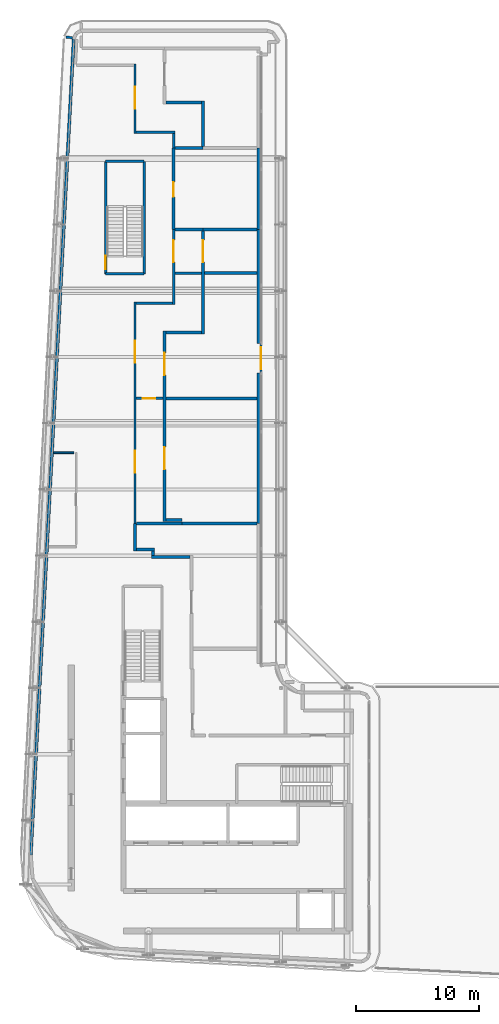
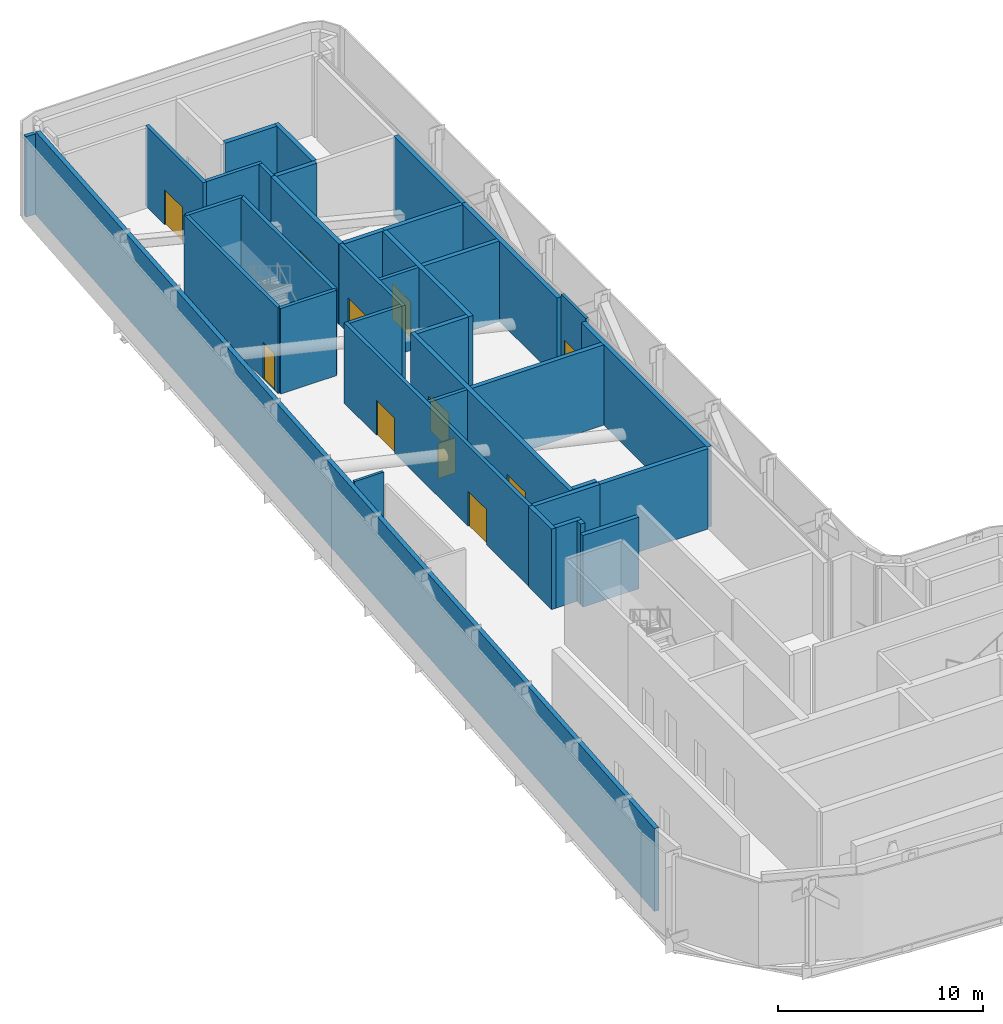
# One storey, part 12 of 18: 37 walls, 11 doors, 11 openings.
"""IFC4 building model written with IfcOpenShell, lengths in metres."""

import ifcopenshell
import ifcopenshell.guid

model = None  # the IFC model being written
_history = None  # IfcOwnerHistory: only IFC2X3 demands one
_inside = {}  # id of a spatial element -> (the spatial element, [elements in it])
_under = {}  # id of a project, library or spatial element -> (it, [spatial elements below it])
_declared = {}  # id of a project -> (the project, [libraries it declares])
_typed = {}  # id of a type object -> (the type object, [elements of that type])
_made_of = {}  # id of a material, layer set ... -> (it, [elements and type objects made of it])


def new_model(schema):
    """Start an empty IFC model of exactly this schema.

    Asked for "IFC4X3", IfcOpenShell would pick the latest addendum, in which some entities
    have other attributes; the version numbers below select the first issue.
    IFC2X3 requires an IfcOwnerHistory on every rooted entity: one is made here for all.
    """
    global model, _history
    if schema == "IFC4X3":
        model = ifcopenshell.file(schema_version=(4, 3, 0, 0))
    else:
        model = ifcopenshell.file(schema=schema)
    _inside.clear()
    _under.clear()
    _declared.clear()
    _typed.clear()
    _made_of.clear()
    _history = None
    if model.schema == "IFC2X3":
        org = make("IfcOrganization", Name="unknown")
        user = make(
            "IfcPersonAndOrganization",
            ThePerson=make("IfcPerson", FamilyName="unknown"),
            TheOrganization=org,
        )
        app = make(
            "IfcApplication",
            ApplicationDeveloper=org,
            Version="unknown",
            ApplicationFullName="unknown",
            ApplicationIdentifier="unknown",
        )
        _history = make(
            "IfcOwnerHistory",
            OwningUser=user,
            OwningApplication=app,
            ChangeAction="ADDED",
            CreationDate=0,
        )
    return model


def make(cls, **values):
    """One entity of the class cls with the attributes given. An attribute that is None is left unset."""
    return model.create_entity(
        cls, **{name: value for name, value in values.items() if value is not None}
    )


def rooted(cls, **values):
    """An entity with a GlobalId (a new one), such as an element, a storey or a relation."""
    return make(cls, GlobalId=ifcopenshell.guid.new(), OwnerHistory=_history, **values)


def si_unit(unit_type, name, prefix=None):
    """IfcSIUnit, for example si_unit("LENGTHUNIT", "METRE", prefix="MILLI")."""
    return make("IfcSIUnit", UnitType=unit_type, Prefix=prefix, Name=name)


def assignment(units):
    """IfcUnitAssignment: the units of a project."""
    return None if units is None else make("IfcUnitAssignment", Units=units)


def point(xyz):
    """IfcCartesianPoint."""
    return None if xyz is None else make("IfcCartesianPoint", Coordinates=xyz)


def direction(xyz):
    """IfcDirection."""
    return None if xyz is None else make("IfcDirection", DirectionRatios=xyz)


def frame(location, z_axis=None, x_axis=None):
    """IfcAxis2Placement3D, a coordinate frame: its origin and axes. An axis left out is left unset."""
    return make(
        "IfcAxis2Placement3D",
        Location=point(location),
        Axis=direction(z_axis),
        RefDirection=direction(x_axis),
    )


def frame_2d(location, x_axis=None):
    """IfcAxis2Placement2D, a coordinate frame in the plane: its origin and x axis."""
    return make(
        "IfcAxis2Placement2D", Location=point(location), RefDirection=direction(x_axis)
    )


def origin():
    """The frame at (0, 0, 0) with its axes left unset."""
    return frame((0.0, 0.0, 0.0))


def place(relative_to, where):
    """IfcLocalPlacement: puts the frame where relative to a parent placement (None: the world)."""
    return make(
        "IfcLocalPlacement", PlacementRelTo=relative_to, RelativePlacement=where
    )


def context(
    kind, dimensions, precision=None, world=None, true_north=None, identifier=None
):
    """IfcGeometricRepresentationContext, for example the 3D "Model" context."""
    return make(
        "IfcGeometricRepresentationContext",
        ContextIdentifier=identifier,
        ContextType=kind,
        CoordinateSpaceDimension=dimensions,
        Precision=precision,
        WorldCoordinateSystem=world,
        TrueNorth=true_north,
    )


def subcontext(parent, identifier, kind, view, scale=None):
    """IfcGeometricRepresentationSubContext, for example "Body" below "Model"."""
    return make(
        "IfcGeometricRepresentationSubContext",
        ContextIdentifier=identifier,
        ContextType=kind,
        ParentContext=parent,
        TargetScale=scale,
        TargetView=view,
    )


def project(units=None, contexts=None):
    """IfcProject with its units and contexts."""
    return rooted(
        "IfcProject",
        Name="project",
        RepresentationContexts=contexts,
        UnitsInContext=assignment(units),
    )


def spatial(cls, under=None, at=None, **own):
    """A site, building, storey or space (cls), placed at a placement, below another one or the project."""
    s = rooted(cls, ObjectPlacement=at, **own)
    if under is not None:
        _under.setdefault(under.id(), (under, []))[1].append(s)
    return s


def profile(cls, at=None, kind="AREA", **sizes):
    """A parametric profile (cls). Its sizes go by their IFC names, for example OverallWidth=200.0."""
    return make(cls, ProfileType=kind, Position=at, **sizes)


def rectangle(**sizes):
    """IfcRectangleProfileDef."""
    return profile("IfcRectangleProfileDef", **sizes)


def extrude(swept, where, along, depth):
    """IfcExtrudedAreaSolid: the profile swept, set in the frame where, extruded along a direction by depth."""
    return make(
        "IfcExtrudedAreaSolid",
        SweptArea=swept,
        Position=where,
        ExtrudedDirection=direction(along),
        Depth=depth,
    )


def shape(context_of_items, identifier, shape_type, items):
    """IfcShapeRepresentation: the items that make up one representation, for example the "Body"."""
    return make(
        "IfcShapeRepresentation",
        ContextOfItems=context_of_items,
        RepresentationIdentifier=identifier,
        RepresentationType=shape_type,
        Items=items,
    )


def source(mapping_origin, context_of_items, identifier, shape_type, items):
    """IfcRepresentationMap: a shape defined once, which mapped items show again and again."""
    return make(
        "IfcRepresentationMap",
        MappingOrigin=mapping_origin,
        MappedRepresentation=shape(context_of_items, identifier, shape_type, items),
    )


def transform(
    local_origin,
    x_axis=None,
    y_axis=None,
    z_axis=None,
    scale=None,
    scale2=None,
    scale3=None,
    uniform=True,
):
    """IfcCartesianTransformationOperator3D, or its non-uniform kind. x_axis, y_axis, z_axis: its Axis1, 2, 3."""
    if uniform:
        return make(
            "IfcCartesianTransformationOperator3D",
            Axis1=direction(x_axis),
            Axis2=direction(y_axis),
            LocalOrigin=point(local_origin),
            Scale=scale,
            Axis3=direction(z_axis),
        )
    return make(
        "IfcCartesianTransformationOperator3DnonUniform",
        Axis1=direction(x_axis),
        Axis2=direction(y_axis),
        LocalOrigin=point(local_origin),
        Scale=scale,
        Axis3=direction(z_axis),
        Scale2=scale2,
        Scale3=scale3,
    )


def mapped(mapping_source, mapping_target):
    """IfcMappedItem: shows the shape of a source again, moved by a transform."""
    return make(
        "IfcMappedItem", MappingSource=mapping_source, MappingTarget=mapping_target
    )


def material(Name=None, Category=None):
    """IfcMaterial."""
    return make("IfcMaterial", Name=Name, Category=Category)


def layer(
    of_material, thickness, ventilated=None, Name=None, Category=None, Priority=None
):
    """IfcMaterialLayer: one layer of a wall or slab, of a material (None: an air gap)."""
    return make(
        "IfcMaterialLayer",
        Material=of_material,
        LayerThickness=thickness,
        IsVentilated=ventilated,
        Name=Name,
        Category=Category,
        Priority=Priority,
    )


def layer_set(layers, Name=None):
    """IfcMaterialLayerSet."""
    return make("IfcMaterialLayerSet", MaterialLayers=layers, LayerSetName=Name)


def made_of(thing, what):
    """Note that an element or type object is made of a material, layer set ...; save() writes the relation."""
    if what is not None:
        _made_of.setdefault(what.id(), (what, []))[1].append(thing)
    return thing


def type_object(cls, material=None, **own):
    """A type object (cls), such as IfcWallType, which elements share."""
    return made_of(rooted(cls, **own), material)


def element(
    cls,
    number,
    at=None,
    inside=None,
    cuts=None,
    type_object=None,
    material=None,
    context=None,
    identifier="Body",
    shape_type=None,
    held_by="IfcProductDefinitionShape",
    body=None,
    shapes=None,
    **own,
):
    """One element of the class cls, such as IfcWall. Its Tag is "e" and its number.

    at: its placement. inside: the storey or other place that contains it. cuts: it is an
    opening in that element (IfcRelVoidsElement). A single representation is given by context,
    identifier, shape_type and body (its items); several are given by shapes. held_by: the class
    of the entity that holds the representations. save() writes the other relations.
    """
    e = rooted(cls, Tag="e%d" % number, ObjectPlacement=at, **own)
    if body is not None:
        shapes = [shape(context, identifier, shape_type, body)]
    if shapes is not None:
        e.Representation = make(held_by, Representations=shapes)
    if inside is not None:
        _inside.setdefault(inside.id(), (inside, []))[1].append(e)
    if cuts is not None:
        rooted(
            "IfcRelVoidsElement", RelatingBuildingElement=cuts, RelatedOpeningElement=e
        )
    if type_object is not None:
        _typed.setdefault(type_object.id(), (type_object, []))[1].append(e)
    return made_of(e, material)


def fill(opening, filler):
    """IfcRelFillsElement: the door or window that sits in an opening."""
    return rooted(
        "IfcRelFillsElement",
        RelatingOpeningElement=opening,
        RelatedBuildingElement=filler,
    )


def aggregate(whole, parts):
    """IfcRelAggregates: a whole, such as a stair, and the parts it consists of."""
    return rooted("IfcRelAggregates", RelatingObject=whole, RelatedObjects=parts)


def save(model, path):
    """Write the relations noted so far, then the file.

    IfcRelAggregates (storeys below a building ...), IfcRelContainedInSpatialStructure (elements
    in a storey), IfcRelDefinesByType, IfcRelAssociatesMaterial and IfcRelDeclares: one each for
    every whole, place, type object, material and project.
    """
    for whole, parts in _under.values():
        aggregate(whole, parts)
    for where, things in _inside.values():
        rooted(
            "IfcRelContainedInSpatialStructure",
            RelatedElements=things,
            RelatingStructure=where,
        )
    for kind, things in _typed.values():
        rooted("IfcRelDefinesByType", RelatedObjects=things, RelatingType=kind)
    for what, things in _made_of.values():
        rooted("IfcRelAssociatesMaterial", RelatedObjects=things, RelatingMaterial=what)
    for by, libraries in _declared.values():
        rooted("IfcRelDeclares", RelatingContext=by, RelatedDefinitions=libraries)
    model.write(path)


model = new_model("IFC4")

# Units and contexts
model_context = context("Model", 3, precision=1e-05, world=origin(), true_north=direction((0.0, 1.0)))
body_context = subcontext(model_context, "Body", "Model", "MODEL_VIEW")
ifc_project = project(units=[si_unit("LENGTHUNIT", "METRE"), si_unit("AREAUNIT", "SQUARE_METRE"), si_unit("VOLUMEUNIT", "CUBIC_METRE"), si_unit("PLANEANGLEUNIT", "RADIAN"), si_unit("MASSUNIT", "GRAM", prefix="KILO")], contexts=[model_context])

# Site, building, storey
site_placement = place(None, origin())
site = spatial("IfcSite", under=ifc_project, at=site_placement, CompositionType="ELEMENT")
building_placement = place(site_placement, origin())
building = spatial("IfcBuilding", under=site, at=building_placement, Name="Kheshtan School and Residences Tower", CompositionType="ELEMENT")
storey_placement = place(building_placement, frame((0.0, 0.0, 333.199951171875)))
storey = spatial("IfcBuildingStorey", under=building, at=storey_placement, Name="L78", CompositionType="ELEMENT", Elevation=333.199951171875)

# Wall
ifc_material_1 = material(Name="Gypsum board on steel studs with fire boards", Category="steel")
ifc_layer_1 = layer(ifc_material_1, 0.199951171875)
ifc_layer_set_1 = layer_set([ifc_layer_1], Name="Corridor wall 200")
wall_type_1 = type_object("IfcWallType", Name="Corridor wall 200", PredefinedType="PARTITIONING", material=ifc_layer_set_1)
wall_1_placement = place(storey_placement, frame((30.05908203125, 98.69091796875, 0.0), z_axis=(0.0, 0.0, 1.0), x_axis=(0.998617829333, -0.052558833123, 0.0)))
element("IfcWall", 1, at=wall_1_placement, inside=storey, type_object=wall_type_1, Name="Partition L78-001", PredefinedType="PARTITIONING", context=body_context, shape_type="SweptSolid", body=[
    extrude(rectangle(XDim=0.529541015625, YDim=0.199951171875, at=frame_2d((0.2646484375, 0.0))), origin(), (0.0, 0.0, 1.0), 4.800048828125),
])

# Wall, openings, doors
wall_2_placement = place(storey_placement, frame((35.699951171875, 59.02392578125, 0.0), z_axis=(0.0, 0.0, 1.0), x_axis=(0.0, 1.0, 0.0)))
wall_2 = element("IfcWall", 2, at=wall_2_placement, inside=storey, type_object=wall_type_1, Name="Partition L78-008", PredefinedType="PARTITIONING", context=body_context, shape_type="SweptSolid", body=[
    extrude(rectangle(XDim=18.076171875, YDim=0.199951171875, at=frame_2d((9.0380859375, 0.0))), origin(), (0.0, 0.0, 1.0), 4.800048828125),
])
opening_1_placement = place(wall_2_placement, frame((4.14990234375, 0.0, 0.0)))
opening_1 = element("IfcOpeningElement", 3, at=opening_1_placement, cuts=wall_2, Name="Opening D78-009", PredefinedType="OPENING", context=body_context, shape_type="SweptSolid", body=[
    extrude(rectangle(XDim=1.800048828125, YDim=2.10009765625, at=frame_2d((0.89990234375, 1.050048828125))), frame((0.0, 0.10986328125, 0.0), z_axis=(0.0, -1.0, 0.0), x_axis=(1.0, 0.0, 0.0)), (0.0, 0.0, 1.0), 0.219970703125),
])
opening_2_placement = place(wall_2_placement, frame((13.112060546875, 0.0, 0.0)))
opening_2 = element("IfcOpeningElement", 4, at=opening_2_placement, cuts=wall_2, Name="Opening D78-011", PredefinedType="OPENING", context=body_context, shape_type="SweptSolid", body=[
    extrude(rectangle(XDim=1.800048828125, YDim=2.10009765625, at=frame_2d((0.89990234375, 1.050048828125))), frame((0.0, 0.10986328125, 0.0), z_axis=(0.0, -1.0, 0.0), x_axis=(1.0, 0.0, 0.0)), (0.0, 0.0, 1.0), 0.219970703125),
])
ifc_material_2 = material(Name="Steel-framed fire-resisting door leaf", Category="steel")
door_type_1 = type_object("IfcDoorType", Name="Fire double door FD60 1800 x 2100", OperationType="DOUBLE_DOOR_SINGLE_SWING", PredefinedType="DOOR", material=ifc_material_2)
shared_shape_1 = source(origin(), body_context, "Body", "SweptSolid", [
    extrude(rectangle(XDim=1.800048828125, YDim=2.10009765625, at=frame_2d((0.89990234375, 1.050048828125))), frame((0.0, 0.02490234375, 0.0), z_axis=(0.0, -1.0, 0.0), x_axis=(1.0, 0.0, 0.0)), (0.0, 0.0, 1.0), 0.050048828125),
])
door_1_placement = place(opening_1_placement, origin())
door_1 = element("IfcDoor", 5, at=door_1_placement, inside=storey, type_object=door_type_1, Name="Door D78-009", OperationType="DOUBLE_DOOR_SINGLE_SWING", OverallHeight=2.10009765625, OverallWidth=1.800048828125, PredefinedType="DOOR", context=body_context, shape_type="MappedRepresentation", body=[
    mapped(shared_shape_1, transform((0.0, 0.0, 0.0), x_axis=(1.0, 0.0, 0.0), y_axis=(0.0, 1.0, 0.0), z_axis=(0.0, 0.0, 1.0), scale=1.0)),
])
fill(opening_1, door_1)
door_2_placement = place(opening_2_placement, origin())
door_2 = element("IfcDoor", 6, at=door_2_placement, inside=storey, type_object=door_type_1, Name="Door D78-011", OperationType="DOUBLE_DOOR_SINGLE_SWING", OverallHeight=2.10009765625, OverallWidth=1.800048828125, PredefinedType="DOOR", context=body_context, shape_type="MappedRepresentation", body=[
    mapped(shared_shape_1, transform((0.0, 0.0, 0.0), x_axis=(1.0, 0.0, 0.0), y_axis=(0.0, 1.0, 0.0), z_axis=(0.0, 0.0, 1.0), scale=1.0)),
])
fill(opening_2, door_2)

# Wall, opening, door
wall_3_placement = place(storey_placement, frame((35.699951171875, 90.860107421875, 0.0), z_axis=(0.0, 0.0, 1.0), x_axis=(0.0, 1.0, 0.0)))
wall_3 = element("IfcWall", 7, at=wall_3_placement, inside=storey, type_object=wall_type_1, Name="Partition L78-009", PredefinedType="PARTITIONING", context=body_context, shape_type="SweptSolid", body=[
    extrude(rectangle(XDim=5.639892578125, YDim=0.199951171875, at=frame_2d((2.81982421875, 0.0))), origin(), (0.0, 0.0, 1.0), 4.800048828125),
])
opening_3_placement = place(wall_3_placement, frame((2.0, 0.0, 0.0)))
opening_3 = element("IfcOpeningElement", 8, at=opening_3_placement, cuts=wall_3, Name="Opening D78-012", PredefinedType="OPENING", context=body_context, shape_type="SweptSolid", body=[
    extrude(rectangle(XDim=1.800048828125, YDim=2.10009765625, at=frame_2d((0.89990234375, 1.050048828125))), frame((0.0, 0.10986328125, 0.0), z_axis=(0.0, -1.0, 0.0), x_axis=(1.0, 0.0, 0.0)), (0.0, 0.0, 1.0), 0.219970703125),
])
door_3_placement = place(opening_3_placement, origin())
door_3 = element("IfcDoor", 9, at=door_3_placement, inside=storey, type_object=door_type_1, Name="Door D78-012", OperationType="DOUBLE_DOOR_SINGLE_SWING", OverallHeight=2.10009765625, OverallWidth=1.800048828125, PredefinedType="DOOR", context=body_context, shape_type="MappedRepresentation", body=[
    mapped(shared_shape_1, transform((0.0, 0.0, 0.0), x_axis=(1.0, 0.0, 0.0), y_axis=(0.0, 1.0, 0.0), z_axis=(0.0, 0.0, 1.0), scale=1.0)),
])
fill(opening_3, door_3)

wall_4_placement = place(storey_placement, frame((35.800048828125, 69.236083984375, 0.0), z_axis=(0.0, 0.0, 1.0), x_axis=(1.0, 0.0, 0.0)))
wall_4 = element("IfcWall", 10, at=wall_4_placement, inside=storey, type_object=wall_type_1, Name="Partition L78-010", PredefinedType="PARTITIONING", context=body_context, shape_type="SweptSolid", body=[
    extrude(rectangle(XDim=2.175048828125, YDim=0.199951171875, at=frame_2d((1.08740234375, 0.0))), origin(), (0.0, 0.0, 1.0), 4.800048828125),
])
opening_4_placement = place(wall_4_placement, frame((0.550048828125, 0.0, 0.0)))
opening_4 = element("IfcOpeningElement", 11, at=opening_4_placement, cuts=wall_4, Name="Opening D78-010", PredefinedType="OPENING", context=body_context, shape_type="SweptSolid", body=[
    extrude(rectangle(XDim=1.0, YDim=2.10009765625, at=frame_2d((0.5, 1.050048828125))), frame((0.0, 0.10986328125, 0.0), z_axis=(0.0, -1.0, 0.0), x_axis=(1.0, 0.0, 0.0)), (0.0, 0.0, 1.0), 0.219970703125),
])
door_type_2 = type_object("IfcDoorType", Name="Fire door FD60 1000 x 2100", OperationType="SINGLE_SWING_LEFT", PredefinedType="DOOR", material=ifc_material_2)
shared_shape_2 = source(origin(), body_context, "Body", "SweptSolid", [
    extrude(rectangle(XDim=1.0, YDim=2.10009765625, at=frame_2d((0.5, 1.050048828125))), frame((0.0, 0.02490234375, 0.0), z_axis=(0.0, -1.0, 0.0), x_axis=(1.0, 0.0, 0.0)), (0.0, 0.0, 1.0), 0.050048828125),
])
door_4_placement = place(opening_4_placement, origin())
door_4 = element("IfcDoor", 12, at=door_4_placement, inside=storey, type_object=door_type_2, Name="Door D78-010", OperationType="SINGLE_SWING_RIGHT", OverallHeight=2.10009765625, OverallWidth=1.0, PredefinedType="DOOR", context=body_context, shape_type="MappedRepresentation", body=[
    mapped(shared_shape_2, transform((0.0, 0.0, 0.0), x_axis=(1.0, 0.0, 0.0), y_axis=(0.0, 1.0, 0.0), z_axis=(0.0, 0.0, 1.0), scale=1.0)),
])
fill(opening_4, door_4)

# Walls
wall_5_placement = place(storey_placement, frame((35.800048828125, 77.0, 0.0), z_axis=(0.0, 0.0, 1.0), x_axis=(1.0, 0.0, 0.0)))
element("IfcWall", 13, at=wall_5_placement, inside=storey, type_object=wall_type_1, Name="Partition L78-011", PredefinedType="PARTITIONING", context=body_context, shape_type="SweptSolid", body=[
    extrude(rectangle(XDim=2.949951171875, YDim=0.199951171875, at=frame_2d((1.47509765625, 0.0))), origin(), (0.0, 0.0, 1.0), 4.800048828125),
])
wall_6_placement = place(storey_placement, frame((35.800048828125, 90.9599609375, 0.0), z_axis=(0.0, 0.0, 1.0), x_axis=(1.0, 0.0, 0.0)))
element("IfcWall", 14, at=wall_6_placement, inside=storey, type_object=wall_type_1, Name="Partition L78-012", PredefinedType="PARTITIONING", context=body_context, shape_type="SweptSolid", body=[
    extrude(rectangle(XDim=3.14990234375, YDim=0.199951171875, at=frame_2d((1.574951171875, 0.0))), origin(), (0.0, 0.0, 1.0), 4.800048828125),
])

# Wall, opening, door
wall_7_placement = place(storey_placement, frame((38.85009765625, 76.89990234375, 0.0), z_axis=(0.0, 0.0, 1.0), x_axis=(0.0, 1.0, 0.0)))
wall_7 = element("IfcWall", 15, at=wall_7_placement, inside=storey, type_object=wall_type_1, Name="Partition L78-024", PredefinedType="PARTITIONING", context=body_context, shape_type="SweptSolid", body=[
    extrude(rectangle(XDim=6.12109375, YDim=0.199951171875, at=frame_2d((3.060546875, 0.0))), origin(), (0.0, 0.0, 1.0), 4.800048828125),
])
opening_5_placement = place(wall_7_placement, frame((3.447021484375, 0.0, 0.0)))
opening_5 = element("IfcOpeningElement", 16, at=opening_5_placement, cuts=wall_7, Name="Opening D78-013", PredefinedType="OPENING", context=body_context, shape_type="SweptSolid", body=[
    extrude(rectangle(XDim=1.800048828125, YDim=2.10009765625, at=frame_2d((0.89990234375, 1.050048828125))), frame((0.0, 0.10986328125, 0.0), z_axis=(0.0, -1.0, 0.0), x_axis=(1.0, 0.0, 0.0)), (0.0, 0.0, 1.0), 0.219970703125),
])
door_5_placement = place(opening_5_placement, origin())
door_5 = element("IfcDoor", 17, at=door_5_placement, inside=storey, type_object=door_type_1, Name="Door D78-013", OperationType="DOUBLE_DOOR_SINGLE_SWING", OverallHeight=2.10009765625, OverallWidth=1.800048828125, PredefinedType="DOOR", context=body_context, shape_type="MappedRepresentation", body=[
    mapped(shared_shape_1, transform((0.0, 0.0, 0.0), x_axis=(1.0, 0.0, 0.0), y_axis=(0.0, 1.0, 0.0), z_axis=(0.0, 0.0, 1.0), scale=1.0)),
])
fill(opening_5, door_5)

# Walls
wall_8_placement = place(storey_placement, frame((38.85009765625, 89.658935546875, 0.0), z_axis=(0.0, 0.0, 1.0), x_axis=(0.0, 1.0, 0.0)))
element("IfcWall", 18, at=wall_8_placement, inside=storey, type_object=wall_type_1, Name="Partition L78-026", PredefinedType="PARTITIONING", context=body_context, shape_type="SweptSolid", body=[
    extrude(rectangle(XDim=1.201171875, YDim=0.199951171875, at=frame_2d((0.6005859375, 0.0))), origin(), (0.0, 0.0, 1.0), 4.800048828125),
])
wall_9_placement = place(storey_placement, frame((38.949951171875, 79.447021484375, 0.0), z_axis=(0.0, 0.0, 1.0), x_axis=(1.0, 0.0, 0.0)))
element("IfcWall", 19, at=wall_9_placement, inside=storey, type_object=wall_type_1, Name="Partition L78-027", PredefinedType="PARTITIONING", context=body_context, shape_type="SweptSolid", body=[
    extrude(rectangle(XDim=2.175048828125, YDim=0.199951171875, at=frame_2d((1.08740234375, 0.0))), origin(), (0.0, 0.0, 1.0), 4.800048828125),
])
ifc_material_3 = material(Name="Concrete C40/50 with ceramic cladding and mineral wool insulation", Category="concrete")
ifc_layer_2 = layer(ifc_material_3, 0.25)
ifc_layer_set_2 = layer_set([ifc_layer_2], Name="External wall 250 ceramic clad")
wall_type_2 = type_object("IfcWallType", Name="External wall 250 ceramic clad", PredefinedType="SOLIDWALL", material=ifc_layer_set_2)
wall_10_placement = place(storey_placement, frame((27.195068359375, 31.968994140625, 0.0), z_axis=(0.0, 0.0, 1.0), x_axis=(0.052556141556, 0.99861797099, 0.0)))
element("IfcWall", 20, at=wall_10_placement, inside=storey, type_object=wall_type_2, Name="External wall L78 10", PredefinedType="SOLIDWALL", context=body_context, shape_type="SweptSolid", body=[
    extrude(rectangle(XDim=66.651123046875, YDim=0.25, at=frame_2d((33.32568359375, 0.0))), origin(), (0.0, 0.0, 1.0), 4.949951171875),
])

# Wall, opening, door
ifc_material_4 = material(Name="Aluminium frame wall with insulated infill", Category="aluminium")
ifc_layer_3 = layer(ifc_material_4, 0.14990234375)
ifc_layer_set_3 = layer_set([ifc_layer_3], Name="Glazing frame wall 150")
wall_type_3 = type_object("IfcWallType", Name="Glazing frame wall 150", PredefinedType="SOLIDWALL", material=ifc_layer_set_3)
wall_11_placement = place(storey_placement, frame((45.97509765625, 73.699951171875, 0.0), z_axis=(0.0, 0.0, 1.0), x_axis=(0.0, -1.0, 0.0)))
wall_11 = element("IfcWall", 21, at=wall_11_placement, inside=storey, type_object=wall_type_3, Name="Terrace door wall L78 19", PredefinedType="SOLIDWALL", context=body_context, shape_type="SweptSolid", body=[
    extrude(rectangle(XDim=2.39990234375, YDim=0.14990234375, at=frame_2d((1.199951171875, 0.0))), origin(), (0.0, 0.0, 1.0), 4.949951171875),
])
opening_6_placement = place(wall_11_placement, frame((0.300048828125, 0.0, 0.0)))
opening_6 = element("IfcOpeningElement", 22, at=opening_6_placement, cuts=wall_11, Name="Opening BD", PredefinedType="OPENING", context=body_context, shape_type="SweptSolid", body=[
    extrude(rectangle(XDim=1.800048828125, YDim=2.39990234375, at=frame_2d((0.89990234375, 1.199951171875))), frame((0.0, 0.0849609375, 0.0), z_axis=(0.0, -1.0, 0.0), x_axis=(1.0, 0.0, 0.0)), (0.0, 0.0, 1.0), 0.169921875),
])
ifc_material_5 = material(Name="Clear low-e glass in thermally broken aluminium frame", Category="aluminium")
door_type_3 = type_object("IfcDoorType", Name="Balcony sliding door", OperationType="SLIDING_TO_LEFT", PredefinedType="DOOR", material=ifc_material_5)
shared_shape_3 = source(origin(), body_context, "Body", "SweptSolid", [
    extrude(rectangle(XDim=1.800048828125, YDim=2.39990234375, at=frame_2d((0.89990234375, 1.199951171875))), frame((0.0, 0.02490234375, 0.0), z_axis=(0.0, -1.0, 0.0), x_axis=(1.0, 0.0, 0.0)), (0.0, 0.0, 1.0), 0.050048828125),
])
door_6_placement = place(opening_6_placement, origin())
door_6 = element("IfcDoor", 23, at=door_6_placement, inside=storey, type_object=door_type_3, Name="Terrace door L78 19", OperationType="SLIDING_TO_LEFT", OverallHeight=2.39990234375, OverallWidth=1.800048828125, PredefinedType="DOOR", context=body_context, shape_type="MappedRepresentation", body=[
    mapped(shared_shape_3, transform((0.0, 0.0, 0.0), x_axis=(1.0, 0.0, 0.0), y_axis=(0.0, 1.0, 0.0), z_axis=(0.0, 0.0, 1.0), scale=1.0)),
])
fill(opening_6, door_6)

# Walls
ifc_material_6 = material(Name="Fire-board and steel stud wall with mineral wool", Category="steel")
ifc_layer_4 = layer(ifc_material_6, 0.25)
ifc_layer_set_4 = layer_set([ifc_layer_4], Name="Plant room wall 250")
wall_type_4 = type_object("IfcWallType", Name="Plant room wall 250", PredefinedType="PARTITIONING", material=ifc_layer_set_4)
wall_12_placement = place(storey_placement, frame((35.699951171875, 56.77490234375, 0.0), z_axis=(0.0, 0.0, 1.0), x_axis=(0.0, 1.0, 0.0)))
element("IfcWall", 24, at=wall_12_placement, inside=storey, type_object=wall_type_4, Name="Partition L78-007", PredefinedType="PARTITIONING", context=body_context, shape_type="SweptSolid", body=[
    extrude(rectangle(XDim=2.2490234375, YDim=0.25, at=frame_2d((1.12451171875, 0.0))), origin(), (0.0, 0.0, 1.0), 4.800048828125),
])
wall_13_placement = place(storey_placement, frame((35.824951171875, 56.89990234375, 0.0), z_axis=(0.0, 0.0, 1.0), x_axis=(1.0, 0.0, 0.0)))
element("IfcWall", 25, at=wall_13_placement, inside=storey, type_object=wall_type_4, Name="Partition L78-013", PredefinedType="PARTITIONING", context=body_context, shape_type="SweptSolid", body=[
    extrude(rectangle(XDim=1.449951171875, YDim=0.25, at=frame_2d((0.72509765625, 0.0))), origin(), (0.0, 0.0, 1.0), 4.800048828125),
])
wall_14_placement = place(storey_placement, frame((35.824951171875, 59.02392578125, 0.0), z_axis=(0.0, 0.0, 1.0), x_axis=(1.0, 0.0, 0.0)))
element("IfcWall", 26, at=wall_14_placement, inside=storey, type_object=wall_type_4, Name="Partition L78-014", PredefinedType="PARTITIONING", context=body_context, shape_type="SweptSolid", body=[
    extrude(rectangle(XDim=3.72509765625, YDim=0.25, at=frame_2d((1.862548828125, 0.0))), origin(), (0.0, 0.0, 1.0), 4.800048828125),
])
wall_15_placement = place(storey_placement, frame((37.02490234375, 56.31005859375, 0.0), z_axis=(0.0, 0.0, 1.0), x_axis=(1.0, 0.0, 0.0)))
element("IfcWall", 27, at=wall_15_placement, inside=storey, type_object=wall_type_4, Name="Partition L78-015", PredefinedType="PARTITIONING", context=body_context, shape_type="SweptSolid", body=[
    extrude(rectangle(XDim=3.150146484375, YDim=0.25, at=frame_2d((1.5751953125, 0.0))), origin(), (0.0, 0.0, 1.0), 4.27197265625),
])
wall_16_placement = place(storey_placement, frame((37.14990234375, 56.43505859375, 0.0), z_axis=(0.0, 0.0, 1.0), x_axis=(0.0, 1.0, 0.0)))
element("IfcWall", 28, at=wall_16_placement, inside=storey, type_object=wall_type_4, Name="Partition L78-016", PredefinedType="PARTITIONING", context=body_context, shape_type="SweptSolid", body=[
    extrude(rectangle(XDim=0.33984375, YDim=0.25, at=frame_2d((0.169921875, 0.0))), origin(), (0.0, 0.0, 1.0), 4.800048828125),
])

# Wall, opening, door
wall_17_placement = place(storey_placement, frame((38.85009765625, 83.02099609375, 0.0), z_axis=(0.0, 0.0, 1.0), x_axis=(0.0, 1.0, 0.0)))
wall_17 = element("IfcWall", 29, at=wall_17_placement, inside=storey, type_object=wall_type_4, Name="Partition L78-025", PredefinedType="PARTITIONING", context=body_context, shape_type="SweptSolid", body=[
    extrude(rectangle(XDim=6.637939453125, YDim=0.25, at=frame_2d((3.31884765625, 0.0))), origin(), (0.0, 0.0, 1.0), 4.800048828125),
])
opening_7_placement = place(wall_17_placement, frame((2.64990234375, 0.0, 0.0)))
opening_7 = element("IfcOpeningElement", 30, at=opening_7_placement, cuts=wall_17, Name="Opening D78-007", PredefinedType="OPENING", context=body_context, shape_type="SweptSolid", body=[
    extrude(rectangle(XDim=1.199951171875, YDim=2.10009765625, at=frame_2d((0.60009765625, 1.050048828125))), frame((0.0, 0.135009765625, 0.0), z_axis=(0.0, -1.0, 0.0), x_axis=(1.0, 0.0, 0.0)), (0.0, 0.0, 1.0), 0.27001953125),
])
door_type_4 = type_object("IfcDoorType", Name="Fire door FD120 1200 x 2100", OperationType="SINGLE_SWING_LEFT", PredefinedType="DOOR", material=ifc_material_2)
shared_shape_4 = source(origin(), body_context, "Body", "SweptSolid", [
    extrude(rectangle(XDim=1.199951171875, YDim=2.10009765625, at=frame_2d((0.60009765625, 1.050048828125))), frame((0.0, 0.02490234375, 0.0), z_axis=(0.0, -1.0, 0.0), x_axis=(1.0, 0.0, 0.0)), (0.0, 0.0, 1.0), 0.050048828125),
])
door_7_placement = place(opening_7_placement, origin())
door_7 = element("IfcDoor", 31, at=door_7_placement, inside=storey, type_object=door_type_4, Name="Door D78-007", OperationType="SINGLE_SWING_LEFT", OverallHeight=2.10009765625, OverallWidth=1.199951171875, PredefinedType="DOOR", context=body_context, shape_type="MappedRepresentation", body=[
    mapped(shared_shape_4, transform((0.0, 0.0, 0.0), x_axis=(1.0, 0.0, 0.0), y_axis=(0.0, 1.0, 0.0), z_axis=(0.0, 0.0, 1.0), scale=1.0)),
])
fill(opening_7, door_7)

# Walls
for number, where, z_axis, x_axis, name in (
    (32, (38.97509765625, 83.02099609375, 0.0), (0.0, 0.0, 1.0), (1.0, 0.0, 0.0), "Partition L78-028"),
    (33, (38.97509765625, 89.658935546875, 0.0), (0.0, 0.0, 1.0), (1.0, 0.0, 0.0), "Partition L78-029"),
):
    element("IfcWall", number, at=place(storey_placement, frame(where, z_axis=z_axis, x_axis=x_axis)), inside=storey, type_object=wall_type_4, Name=name, PredefinedType="PARTITIONING", context=body_context, shape_type="SweptSolid", body=[
        extrude(rectangle(XDim=2.27490234375, YDim=0.25, at=frame_2d((1.137451171875, 0.0))), origin(), (0.0, 0.0, 1.0), 4.800048828125),
    ])
wall_18_placement = place(storey_placement, frame((45.780029296875, 83.02099609375, 0.0), z_axis=(0.0, 0.0, 1.0), x_axis=(0.0, 1.0, 0.0)))
element("IfcWall", 34, at=wall_18_placement, inside=storey, type_object=wall_type_4, Name="Partition L78-044", PredefinedType="PARTITIONING", context=body_context, shape_type="SweptSolid", body=[
    extrude(rectangle(XDim=6.637939453125, YDim=0.25, at=frame_2d((3.31884765625, 0.0))), origin(), (0.0, 0.0, 1.0), 4.800048828125),
])

# Wall, openings, doors
ifc_layer_5 = layer(ifc_material_6, 0.25)
ifc_layer_set_5 = layer_set([ifc_layer_5], Name="Refuge compartment wall 250")
wall_type_5 = type_object("IfcWallType", Name="Refuge compartment wall 250", PredefinedType="PARTITIONING", material=ifc_layer_set_5)
wall_19_placement = place(storey_placement, frame((38.10009765625, 59.175048828125, 0.0), z_axis=(0.0, 0.0, 1.0), x_axis=(0.0, 1.0, 0.0)))
wall_19 = element("IfcWall", 35, at=wall_19_placement, inside=storey, type_object=wall_type_5, Name="Partition L78-017", PredefinedType="PARTITIONING", context=body_context, shape_type="SweptSolid", body=[
    extrude(rectangle(XDim=15.550048828125, YDim=0.25, at=frame_2d((7.77490234375, 0.0))), origin(), (0.0, 0.0, 1.0), 4.800048828125),
])
opening_8_placement = place(wall_19_placement, frame((4.27490234375, 0.0, 0.0)))
opening_8 = element("IfcOpeningElement", 36, at=opening_8_placement, cuts=wall_19, Name="Opening D78-004", PredefinedType="OPENING", context=body_context, shape_type="SweptSolid", body=[
    extrude(rectangle(XDim=1.800048828125, YDim=2.10009765625, at=frame_2d((0.89990234375, 1.050048828125))), frame((0.0, 0.135009765625, 0.0), z_axis=(0.0, -1.0, 0.0), x_axis=(1.0, 0.0, 0.0)), (0.0, 0.0, 1.0), 0.27001953125),
])
opening_9_placement = place(wall_19_placement, frame((11.9609375, 0.0, 0.0)))
opening_9 = element("IfcOpeningElement", 37, at=opening_9_placement, cuts=wall_19, Name="Opening D78-005", PredefinedType="OPENING", context=body_context, shape_type="SweptSolid", body=[
    extrude(rectangle(XDim=1.800048828125, YDim=2.10009765625, at=frame_2d((0.89990234375, 1.050048828125))), frame((0.0, 0.135009765625, 0.0), z_axis=(0.0, -1.0, 0.0), x_axis=(1.0, 0.0, 0.0)), (0.0, 0.0, 1.0), 0.27001953125),
])
door_type_5 = type_object("IfcDoorType", Name="Fire double door FD120 1800 x 2100", OperationType="DOUBLE_DOOR_SINGLE_SWING", PredefinedType="DOOR", material=ifc_material_2)
shared_shape_5 = source(origin(), body_context, "Body", "SweptSolid", [
    extrude(rectangle(XDim=1.800048828125, YDim=2.10009765625, at=frame_2d((0.89990234375, 1.050048828125))), frame((0.0, 0.02490234375, 0.0), z_axis=(0.0, -1.0, 0.0), x_axis=(1.0, 0.0, 0.0)), (0.0, 0.0, 1.0), 0.050048828125),
])
door_8_placement = place(opening_8_placement, origin())
door_8 = element("IfcDoor", 38, at=door_8_placement, inside=storey, type_object=door_type_5, Name="Door D78-004", OperationType="DOUBLE_DOOR_SINGLE_SWING", OverallHeight=2.10009765625, OverallWidth=1.800048828125, PredefinedType="DOOR", context=body_context, shape_type="MappedRepresentation", body=[
    mapped(shared_shape_5, transform((0.0, 0.0, 0.0), x_axis=(1.0, 0.0, 0.0), y_axis=(0.0, 1.0, 0.0), z_axis=(0.0, 0.0, 1.0), scale=1.0)),
])
fill(opening_8, door_8)
door_9_placement = place(opening_9_placement, origin())
door_9 = element("IfcDoor", 39, at=door_9_placement, inside=storey, type_object=door_type_5, Name="Door D78-005", OperationType="DOUBLE_DOOR_SINGLE_SWING", OverallHeight=2.10009765625, OverallWidth=1.800048828125, PredefinedType="DOOR", context=body_context, shape_type="MappedRepresentation", body=[
    mapped(shared_shape_5, transform((0.0, 0.0, 0.0), x_axis=(1.0, 0.0, 0.0), y_axis=(0.0, 1.0, 0.0), z_axis=(0.0, 0.0, 1.0), scale=1.0)),
])
fill(opening_9, door_9)

# Walls
wall_20_placement = place(storey_placement, frame((38.22509765625, 59.300048828125, 0.0), z_axis=(0.0, 0.0, 1.0), x_axis=(1.0, 0.0, 0.0)))
element("IfcWall", 40, at=wall_20_placement, inside=storey, type_object=wall_type_5, Name="Partition L78-020", PredefinedType="PARTITIONING", context=body_context, shape_type="SweptSolid", body=[
    extrude(rectangle(XDim=1.324951171875, YDim=0.25, at=frame_2d((0.66259765625, 0.0))), origin(), (0.0, 0.0, 1.0), 4.800048828125),
])
wall_21_placement = place(storey_placement, frame((38.22509765625, 69.236083984375, 0.0), z_axis=(0.0, 0.0, 1.0), x_axis=(1.0, 0.0, 0.0)))
element("IfcWall", 41, at=wall_21_placement, inside=storey, type_object=wall_type_5, Name="Partition L78-021", PredefinedType="PARTITIONING", context=body_context, shape_type="SweptSolid", body=[
    extrude(rectangle(XDim=7.429931640625, YDim=0.25, at=frame_2d((3.71484375, 0.0))), origin(), (0.0, 0.0, 1.0), 4.800048828125),
])
for number, where, z_axis, x_axis, name in (
    (42, (38.22509765625, 74.60009765625, 0.0), (0.0, 0.0, 1.0), (1.0, 0.0, 0.0), "Partition L78-022"),
    (43, (38.22509765625, 93.360107421875, 0.0), (0.0, 0.0, 1.0), (1.0, 0.0, 0.0), "Partition L78-023"),
):
    element("IfcWall", number, at=place(storey_placement, frame(where, z_axis=z_axis, x_axis=x_axis)), inside=storey, type_object=wall_type_5, Name=name, PredefinedType="PARTITIONING", context=body_context, shape_type="SweptSolid", body=[
        extrude(rectangle(XDim=2.89990234375, YDim=0.25, at=frame_2d((1.449951171875, 0.0))), origin(), (0.0, 0.0, 1.0), 4.800048828125),
    ])
wall_22_placement = place(storey_placement, frame((39.550048828125, 59.02392578125, 0.0), z_axis=(0.0, 0.0, 1.0), x_axis=(1.0, 0.0, 0.0)))
element("IfcWall", 44, at=wall_22_placement, inside=storey, type_object=wall_type_5, Name="Partition L78-030", PredefinedType="PARTITIONING", context=body_context, shape_type="SweptSolid", body=[
    extrude(rectangle(XDim=6.10498046875, YDim=0.25, at=frame_2d((3.052490234375, 0.0))), origin(), (0.0, 0.0, 1.0), 4.800048828125),
])

# Wall, opening, door
wall_23_placement = place(storey_placement, frame((41.25, 74.47509765625, 0.0), z_axis=(0.0, 0.0, 1.0), x_axis=(0.0, 1.0, 0.0)))
wall_23 = element("IfcWall", 45, at=wall_23_placement, inside=storey, type_object=wall_type_5, Name="Partition L78-035", PredefinedType="PARTITIONING", context=body_context, shape_type="SweptSolid", body=[
    extrude(rectangle(XDim=8.4208984375, YDim=0.25, at=frame_2d((4.21044921875, 0.0))), origin(), (0.0, 0.0, 1.0), 4.800048828125),
])
opening_10_placement = place(wall_23_placement, frame((5.8720703125, 0.0, 0.0)))
opening_10 = element("IfcOpeningElement", 46, at=opening_10_placement, cuts=wall_23, Name="Opening D78-008", PredefinedType="OPENING", context=body_context, shape_type="SweptSolid", body=[
    extrude(rectangle(XDim=1.800048828125, YDim=2.10009765625, at=frame_2d((0.89990234375, 1.050048828125))), frame((0.0, 0.135009765625, 0.0), z_axis=(0.0, -1.0, 0.0), x_axis=(1.0, 0.0, 0.0)), (0.0, 0.0, 1.0), 0.27001953125),
])
door_10_placement = place(opening_10_placement, origin())
door_10 = element("IfcDoor", 47, at=door_10_placement, inside=storey, type_object=door_type_5, Name="Door D78-008", OperationType="DOUBLE_DOOR_SINGLE_SWING", OverallHeight=2.10009765625, OverallWidth=1.800048828125, PredefinedType="DOOR", context=body_context, shape_type="MappedRepresentation", body=[
    mapped(shared_shape_5, transform((0.0, 0.0, 0.0), x_axis=(1.0, 0.0, 0.0), y_axis=(0.0, 1.0, 0.0), z_axis=(0.0, 0.0, 1.0), scale=1.0)),
])
fill(opening_10, door_10)

# Walls
wall_24_placement = place(storey_placement, frame((41.25, 83.02099609375, 0.0), z_axis=(0.0, 0.0, 1.0), x_axis=(1.0, 0.0, 0.0)))
element("IfcWall", 48, at=wall_24_placement, inside=storey, type_object=wall_type_5, Name="Partition L78-036", PredefinedType="PARTITIONING", context=body_context, shape_type="SweptSolid", body=[
    extrude(rectangle(XDim=4.405029296875, YDim=0.25, at=frame_2d((2.20263671875, 0.0))), origin(), (0.0, 0.0, 1.0), 4.800048828125),
])
wall_25_placement = place(storey_placement, frame((41.25, 89.783935546875, 0.0), z_axis=(0.0, 0.0, 1.0), x_axis=(0.0, 1.0, 0.0)))
element("IfcWall", 49, at=wall_25_placement, inside=storey, type_object=wall_type_5, Name="Partition L78-038", PredefinedType="PARTITIONING", context=body_context, shape_type="SweptSolid", body=[
    extrude(rectangle(XDim=3.701171875, YDim=0.25, at=frame_2d((1.8505859375, 0.0))), origin(), (0.0, 0.0, 1.0), 4.800048828125),
])
wall_26_placement = place(storey_placement, frame((41.375, 79.447021484375, 0.0), z_axis=(0.0, 0.0, 1.0), x_axis=(1.0, 0.0, 0.0)))
element("IfcWall", 50, at=wall_26_placement, inside=storey, type_object=wall_type_5, Name="Partition L78-039", PredefinedType="PARTITIONING", context=body_context, shape_type="SweptSolid", body=[
    extrude(rectangle(XDim=4.280029296875, YDim=0.25, at=frame_2d((2.14013671875, 0.0))), origin(), (0.0, 0.0, 1.0), 4.800048828125),
])
wall_27_placement = place(storey_placement, frame((45.780029296875, 59.02392578125, 0.0), z_axis=(0.0, 0.0, 1.0), x_axis=(0.0, 1.0, 0.0)))
element("IfcWall", 51, at=wall_27_placement, inside=storey, type_object=wall_type_5, Name="Partition L78-042", PredefinedType="PARTITIONING", context=body_context, shape_type="SweptSolid", body=[
    extrude(rectangle(XDim=12.277099609375, YDim=0.25, at=frame_2d((6.138671875, 0.0))), origin(), (0.0, 0.0, 1.0), 4.800048828125),
])
wall_28_placement = place(storey_placement, frame((45.780029296875, 73.698974609375, 0.0), z_axis=(0.0, 0.0, 1.0), x_axis=(0.0, 1.0, 0.0)))
element("IfcWall", 52, at=wall_28_placement, inside=storey, type_object=wall_type_5, Name="Partition L78-043", PredefinedType="PARTITIONING", context=body_context, shape_type="SweptSolid", body=[
    extrude(rectangle(XDim=9.322021484375, YDim=0.25, at=frame_2d((4.6611328125, 0.0))), origin(), (0.0, 0.0, 1.0), 4.800048828125),
])
ifc_material_7 = material(Name="Fire-board shaft wall system")
ifc_layer_6 = layer(ifc_material_7, 0.14990234375)
ifc_layer_set_6 = layer_set([ifc_layer_6], Name="Service room wall 150")
wall_type_6 = type_object("IfcWallType", Name="Service room wall 150", PredefinedType="PARTITIONING", material=ifc_layer_set_6)
wall_29_placement = place(storey_placement, frame((29.050048828125, 64.800048828125, 0.0), z_axis=(0.0, 0.0, 1.0), x_axis=(1.0, 0.0, 0.0)))
element("IfcWall", 53, at=wall_29_placement, inside=storey, type_object=wall_type_6, Name="Service room wall", PredefinedType="PARTITIONING", context=body_context, shape_type="SweptSolid", body=[
    extrude(rectangle(XDim=1.655029296875, YDim=0.14990234375, at=frame_2d((0.82763671875, 0.0))), origin(), (0.0, 0.0, 1.0), 5.10009765625),
])
ifc_material_8 = material(Name="Concrete C40/50", Category="concrete")
ifc_layer_7 = layer(ifc_material_8, 0.199951171875)
ifc_layer_set_7 = layer_set([ifc_layer_7], Name="Stair enclosure wall 200 Concrete C40/50")
wall_type_7 = type_object("IfcWallType", Name="Stair enclosure wall 200 Concrete C40/50", PredefinedType="SHEAR", material=ifc_layer_set_7)
for number, where, z_axis, x_axis, name in (
    (54, (33.300048828125, 79.39990234375, 0.0), (0.0, 0.0, 1.0), (1.0, 0.0, 0.0), "Stair enclosure wall ST3"),
    (55, (33.300048828125, 88.56005859375, 0.0), (0.0, 0.0, 1.0), (1.0, 0.0, 0.0), "Stair enclosure wall ST3"),
):
    element("IfcWall", number, at=place(storey_placement, frame(where, z_axis=z_axis, x_axis=x_axis)), inside=storey, type_object=wall_type_7, Name=name, PredefinedType="SHEAR", context=body_context, shape_type="SweptSolid", body=[
        extrude(rectangle(XDim=3.14990234375, YDim=0.199951171875, at=frame_2d((1.574951171875, 0.0))), origin(), (0.0, 0.0, 1.0), 5.10009765625),
    ])

# Wall, opening, door
wall_30_placement = place(storey_placement, frame((33.300048828125, 79.39990234375, 0.0), z_axis=(0.0, 0.0, 1.0), x_axis=(0.0, 1.0, 0.0)))
wall_30 = element("IfcWall", 56, at=wall_30_placement, inside=storey, type_object=wall_type_7, Name="Stair enclosure wall ST3", PredefinedType="SHEAR", context=body_context, shape_type="SweptSolid", body=[
    extrude(rectangle(XDim=9.16015625, YDim=0.199951171875, at=frame_2d((4.580078125, 0.0))), origin(), (0.0, 0.0, 1.0), 5.10009765625),
])
opening_11_placement = place(wall_30_placement, frame((0.35009765625, 0.0, 0.0)))
opening_11 = element("IfcOpeningElement", 57, at=opening_11_placement, cuts=wall_30, Name="Opening ST3D", PredefinedType="OPENING", context=body_context, shape_type="SweptSolid", body=[
    extrude(rectangle(XDim=1.10009765625, YDim=2.199951171875, at=frame_2d((0.550048828125, 1.10009765625))), frame((0.0, 0.10986328125, 0.0), z_axis=(0.0, -1.0, 0.0), x_axis=(1.0, 0.0, 0.0)), (0.0, 0.0, 1.0), 0.219970703125),
])
ifc_material_9 = material(Name="Steel door leaf, galvanised", Category="steel")
door_type_6 = type_object("IfcDoorType", Name="Stair door 1100 steel 90 min", OperationType="SINGLE_SWING_LEFT", PredefinedType="DOOR", material=ifc_material_9)
shared_shape_6 = source(origin(), body_context, "Body", "SweptSolid", [
    extrude(rectangle(XDim=1.10009765625, YDim=2.199951171875, at=frame_2d((0.550048828125, 1.10009765625))), frame((0.0, 0.02490234375, 0.0), z_axis=(0.0, -1.0, 0.0), x_axis=(1.0, 0.0, 0.0)), (0.0, 0.0, 1.0), 0.050048828125),
])
door_11_placement = place(opening_11_placement, origin())
door_11 = element("IfcDoor", 58, at=door_11_placement, inside=storey, type_object=door_type_6, Name="Stair ST3 door", OperationType="SINGLE_SWING_RIGHT", OverallHeight=2.199951171875, OverallWidth=1.10009765625, PredefinedType="DOOR", context=body_context, shape_type="MappedRepresentation", body=[
    mapped(shared_shape_6, transform((0.0, 0.0, 0.0), x_axis=(1.0, 0.0, 0.0), y_axis=(0.0, 1.0, 0.0), z_axis=(0.0, 0.0, 1.0), scale=1.0)),
])
fill(opening_11, door_11)

# Wall
wall_31_placement = place(storey_placement, frame((36.449951171875, 79.39990234375, 0.0), z_axis=(0.0, 0.0, 1.0), x_axis=(0.0, 1.0, 0.0)))
element("IfcWall", 59, at=wall_31_placement, inside=storey, type_object=wall_type_7, Name="Stair enclosure wall ST3", PredefinedType="SHEAR", context=body_context, shape_type="SweptSolid", body=[
    extrude(rectangle(XDim=9.16015625, YDim=0.199951171875, at=frame_2d((4.580078125, 0.0))), origin(), (0.0, 0.0, 1.0), 5.10009765625),
])

save(model, "model.ifc")
